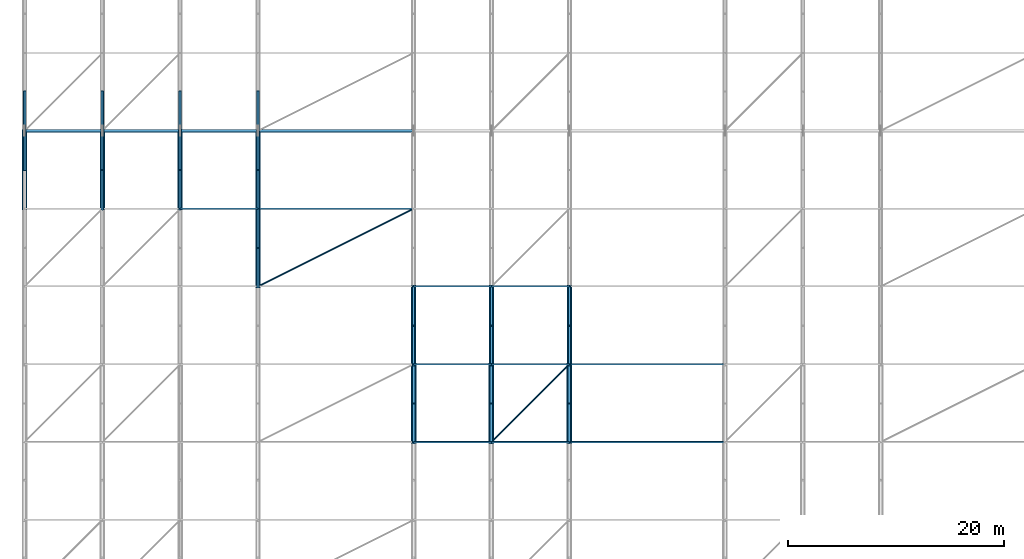
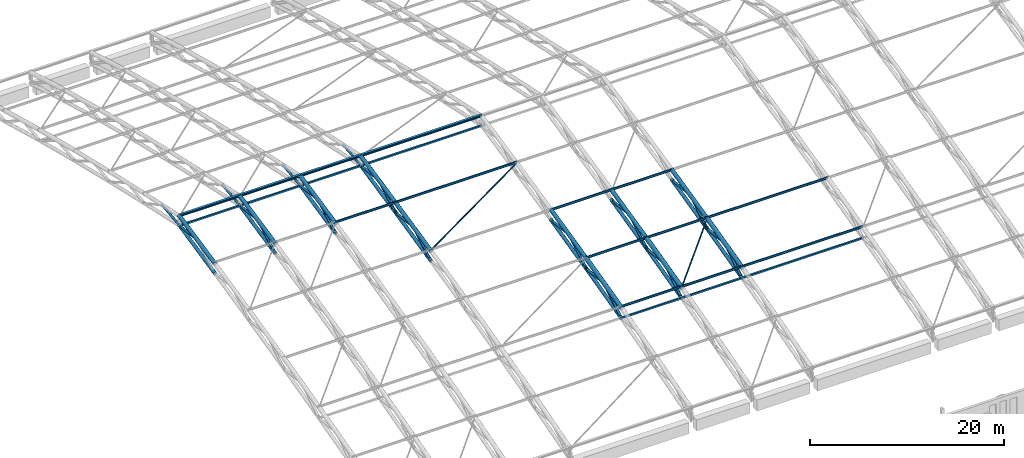
# One storey, part 41 of 193: 70 members.
"""IFC4 building model written with IfcOpenShell, lengths in metres."""

from ifc_helpers import new_model, si_unit, direction, frame, origin, origin_2d, place, context, subcontext, project, spatial, hollow_rectangle, hollow_circle, i_section, extrude, material, material_profile, profile_set, type_object, element, save


model = new_model("IFC4")

# Units and contexts
model_context = context("Model", 3, precision=1e-05, world=origin(), true_north=direction((0.0, 1.0)))
body_context = subcontext(model_context, "Body", "Model", "MODEL_VIEW")
ifc_project = project(units=[si_unit("LENGTHUNIT", "METRE"), si_unit("AREAUNIT", "SQUARE_METRE"), si_unit("VOLUMEUNIT", "CUBIC_METRE"), si_unit("PLANEANGLEUNIT", "RADIAN"), si_unit("MASSUNIT", "GRAM", prefix="KILO")], contexts=[model_context])

# Site, building, storey
site_placement = place(None, origin())
site = spatial("IfcSite", under=ifc_project, at=site_placement, CompositionType="ELEMENT")
building_placement = place(site_placement, origin())
building = spatial("IfcBuilding", under=site, at=building_placement, Name="Cendralis Lancet Convention Centre", CompositionType="ELEMENT")
storey_placement = place(building_placement, frame((0.0, 0.0, 10.199951171875)))
storey = spatial("IfcBuildingStorey", under=building, at=storey_placement, Name="L02", CompositionType="ELEMENT", Elevation=10.199951171875)

# Members
ifc_material = material(Name="Steel S355", Category="steel")
ifc_material_profile_1 = material_profile(ifc_material, hollow_circle(Radius=0.084228515625, WallThickness=0.008056640625, at=origin_2d()), Name="CHS 168.3x8.0")
ifc_profile_set_1 = profile_set([ifc_material_profile_1], Name="Steel S355")
member_type_1 = type_object("IfcMemberType", Name="STR-BR-RB01", PredefinedType="BRACE", material=ifc_profile_set_1)
member_1_placement = place(storey_placement, frame((21.60009765625, 79.199951171875, 11.056884765625), z_axis=(0.890024842601, 0.445012421301, 0.099094522759), x_axis=(-0.4472135955, 0.894427191, 0.0)))
element("IfcMember", 1, at=member_1_placement, inside=storey, type_object=member_type_1, Name="Roof Diaphragm Brace RB01 V1-03-04A", PredefinedType="BRACE", context=body_context, shape_type="SweptSolid", body=[
    extrude(hollow_circle(Radius=0.084228515625, WallThickness=0.008056640625, at=origin_2d()), origin(), (0.0, 0.0, 1.0), 16.17919921875),
])
member_2_placement = place(storey_placement, frame((43.199951171875, 64.800048828125, 7.576416015625), z_axis=(0.696392758522, 0.696392758522, 0.173419294652), x_axis=(-0.707106781187, 0.707106781187, 0.0)))
element("IfcMember", 2, at=member_2_placement, inside=storey, type_object=member_type_1, Name="Roof Diaphragm Brace RB01 V1-05-02A", PredefinedType="BRACE", context=body_context, shape_type="SweptSolid", body=[
    extrude(hollow_circle(Radius=0.084228515625, WallThickness=0.008056640625, at=origin_2d()), origin(), (0.0, 0.0, 1.0), 10.3388671875),
])
ifc_material_profile_2 = material_profile(ifc_material, hollow_rectangle(XDim=0.199951171875, YDim=0.199951171875, WallThickness=0.010009765625, at=origin_2d()), Name="SHS 200x200x10.0")
ifc_profile_set_2 = profile_set([ifc_material_profile_2], Name="Steel S355")
member_type_2 = type_object("IfcMemberType", Name="STR-BR-ST01", PredefinedType="STRUT", material=ifc_profile_set_2)
for number, where, z_axis, x_axis, name in (
    (3, (0.0, 93.60009765625, 13.024169921875), (1.0, 0.0, 0.0), (0.0, 1.0, 0.0), "Arch Tie Strut ST01 V1-00-06"),
    (4, (7.199951171875, 93.60009765625, 13.024169921875), (1.0, 0.0, 0.0), (0.0, 1.0, 0.0), "Arch Tie Strut ST01 V1-01-06"),
):
    element("IfcMember", number, at=place(storey_placement, frame(where, z_axis=z_axis, x_axis=x_axis)), inside=storey, type_object=member_type_2, Name=name, PredefinedType="STRUT", context=body_context, shape_type="SweptSolid", body=[
        extrude(hollow_rectangle(XDim=0.199951171875, YDim=0.199951171875, WallThickness=0.010009765625, at=origin_2d()), origin(), (0.0, 0.0, 1.0), 7.199951171875),
    ])
member_3_placement = place(storey_placement, frame((14.39990234375, 93.60009765625, 13.024169921875), z_axis=(1.0, 0.0, 0.0), x_axis=(0.0, 1.0, 0.0)))
element("IfcMember", 5, at=member_3_placement, inside=storey, type_object=member_type_2, Name="Arch Tie Strut ST01 V1-02-06", PredefinedType="STRUT", context=body_context, shape_type="SweptSolid", body=[
    extrude(hollow_rectangle(XDim=0.199951171875, YDim=0.199951171875, WallThickness=0.010009765625, at=origin_2d()), origin(), (0.0, 0.0, 1.0), 7.2001953125),
])
member_4_placement = place(storey_placement, frame((21.60009765625, 93.60009765625, 13.024169921875), z_axis=(1.0, 0.0, 0.0), x_axis=(0.0, 1.0, 0.0)))
element("IfcMember", 6, at=member_4_placement, inside=storey, type_object=member_type_2, Name="Arch Tie Strut ST01 V1-03-06", PredefinedType="STRUT", context=body_context, shape_type="SweptSolid", body=[
    extrude(hollow_rectangle(XDim=0.199951171875, YDim=0.199951171875, WallThickness=0.010009765625, at=origin_2d()), origin(), (0.0, 0.0, 1.0), 14.39990234375),
])
for number, where, z_axis, x_axis, name in (
    (7, (36.0, 64.800048828125, 6.2509765625), (1.0, 0.0, 0.0), (0.0, 1.0, 0.0), "Arch Tie Strut ST01 V1-04-02"),
    (8, (43.199951171875, 64.800048828125, 6.2509765625), (1.0, 0.0, 0.0), (0.0, 1.0, 0.0), "Arch Tie Strut ST01 V1-05-02"),
):
    element("IfcMember", number, at=place(storey_placement, frame(where, z_axis=z_axis, x_axis=x_axis)), inside=storey, type_object=member_type_2, Name=name, PredefinedType="STRUT", context=body_context, shape_type="SweptSolid", body=[
        extrude(hollow_rectangle(XDim=0.199951171875, YDim=0.199951171875, WallThickness=0.010009765625, at=origin_2d()), origin(), (0.0, 0.0, 1.0), 7.199951171875),
    ])
member_5_placement = place(storey_placement, frame((50.39990234375, 64.800048828125, 6.2509765625), z_axis=(1.0, 0.0, 0.0), x_axis=(0.0, 1.0, 0.0)))
element("IfcMember", 9, at=member_5_placement, inside=storey, type_object=member_type_2, Name="Arch Tie Strut ST01 V1-06-02", PredefinedType="STRUT", context=body_context, shape_type="SweptSolid", body=[
    extrude(hollow_rectangle(XDim=0.199951171875, YDim=0.199951171875, WallThickness=0.010009765625, at=origin_2d()), origin(), (0.0, 0.0, 1.0), 14.400146484375),
])
ifc_material_profile_3 = material_profile(ifc_material, i_section(OverallWidth=0.135009765625, OverallDepth=0.27001953125, WebThickness=0.006591796875, FlangeThickness=0.01025390625, FilletRadius=0.014892578125, at=origin_2d()), Name="IPE 270")
ifc_profile_set_3 = profile_set([ifc_material_profile_3], Name="Steel S355")
member_type_3 = type_object("IfcMemberType", Name="STR-PR-PR01", PredefinedType="PURLIN", material=ifc_profile_set_3)
member_6_placement = place(storey_placement, frame((14.39990234375, 86.39990234375, 12.775146484375), z_axis=(1.0, 0.0, 0.0), x_axis=(0.0, 1.0, 0.0)))
element("IfcMember", 10, at=member_6_placement, inside=storey, type_object=member_type_3, Name="Vault Roof Purlin PR01 V1-02-05", PredefinedType="PURLIN", context=body_context, shape_type="SweptSolid", body=[
    extrude(i_section(OverallWidth=0.135009765625, OverallDepth=0.27001953125, WebThickness=0.006591796875, FlangeThickness=0.01025390625, FilletRadius=0.014892578125, at=origin_2d()), origin(), (0.0, 0.0, 1.0), 7.2001953125),
])
member_7_placement = place(storey_placement, frame((21.60009765625, 86.39990234375, 12.775146484375), z_axis=(1.0, 0.0, 0.0), x_axis=(0.0, 1.0, 0.0)))
element("IfcMember", 11, at=member_7_placement, inside=storey, type_object=member_type_3, Name="Vault Roof Purlin PR01 V1-03-05", PredefinedType="PURLIN", context=body_context, shape_type="SweptSolid", body=[
    extrude(i_section(OverallWidth=0.135009765625, OverallDepth=0.27001953125, WebThickness=0.006591796875, FlangeThickness=0.01025390625, FilletRadius=0.014892578125, at=origin_2d()), origin(), (0.0, 0.0, 1.0), 14.39990234375),
])
for number, where, z_axis, x_axis, name in (
    (12, (36.0, 64.800048828125, 7.69140625), (1.0, 0.0, 0.0), (0.0, 1.0, 0.0), "Vault Roof Purlin PR01 V1-04-02"),
    (13, (36.0, 72.0, 9.484375), (1.0, 0.0, 0.0), (0.0, 1.0, 0.0), "Vault Roof Purlin PR01 V1-04-03"),
    (14, (36.0, 79.199951171875, 11.171875), (1.0, 0.0, 0.0), (0.0, 1.0, 0.0), "Vault Roof Purlin PR01 V1-04-04"),
    (15, (43.199951171875, 64.800048828125, 7.69140625), (1.0, 0.0, 0.0), (0.0, 1.0, 0.0), "Vault Roof Purlin PR01 V1-05-02"),
    (16, (43.199951171875, 72.0, 9.484375), (1.0, 0.0, 0.0), (0.0, 1.0, 0.0), "Vault Roof Purlin PR01 V1-05-03"),
    (17, (43.199951171875, 79.199951171875, 11.171875), (1.0, 0.0, 0.0), (0.0, 1.0, 0.0), "Vault Roof Purlin PR01 V1-05-04"),
):
    element("IfcMember", number, at=place(storey_placement, frame(where, z_axis=z_axis, x_axis=x_axis)), inside=storey, type_object=member_type_3, Name=name, PredefinedType="PURLIN", context=body_context, shape_type="SweptSolid", body=[
        extrude(i_section(OverallWidth=0.135009765625, OverallDepth=0.27001953125, WebThickness=0.006591796875, FlangeThickness=0.01025390625, FilletRadius=0.014892578125, at=origin_2d()), origin(), (0.0, 0.0, 1.0), 7.199951171875),
    ])
for number, where, z_axis, x_axis, name in (
    (18, (50.39990234375, 64.800048828125, 7.69140625), (1.0, 0.0, 0.0), (0.0, 1.0, 0.0), "Vault Roof Purlin PR01 V1-06-02"),
    (19, (50.39990234375, 72.0, 9.484375), (1.0, 0.0, 0.0), (0.0, 1.0, 0.0), "Vault Roof Purlin PR01 V1-06-03"),
):
    element("IfcMember", number, at=place(storey_placement, frame(where, z_axis=z_axis, x_axis=x_axis)), inside=storey, type_object=member_type_3, Name=name, PredefinedType="PURLIN", context=body_context, shape_type="SweptSolid", body=[
        extrude(i_section(OverallWidth=0.135009765625, OverallDepth=0.27001953125, WebThickness=0.006591796875, FlangeThickness=0.01025390625, FilletRadius=0.014892578125, at=origin_2d()), origin(), (0.0, 0.0, 1.0), 14.400146484375),
    ])
ifc_material_profile_4 = material_profile(ifc_material, i_section(OverallWidth=0.280029296875, OverallDepth=0.27001953125, WebThickness=0.008056640625, FlangeThickness=0.012939453125, FilletRadius=0.02392578125, at=origin_2d()), Name="HEA 280")
ifc_profile_set_4 = profile_set([ifc_material_profile_4], Name="Steel S355")
member_type_4 = type_object("IfcMemberType", Name="STR-PR-PR06", PredefinedType="PURLIN", material=ifc_profile_set_4)
for number, where, z_axis, x_axis, name in (
    (20, (0.0, 93.60009765625, 14.31494140625), (1.0, 0.0, 0.0), (0.0, 1.0, 0.0), "Vault Roof Purlin PR06 V1-00-06"),
    (21, (7.199951171875, 93.60009765625, 14.31494140625), (1.0, 0.0, 0.0), (0.0, 1.0, 0.0), "Vault Roof Purlin PR06 V1-01-06"),
):
    element("IfcMember", number, at=place(storey_placement, frame(where, z_axis=z_axis, x_axis=x_axis)), inside=storey, type_object=member_type_4, Name=name, PredefinedType="PURLIN", context=body_context, shape_type="SweptSolid", body=[
        extrude(i_section(OverallWidth=0.280029296875, OverallDepth=0.27001953125, WebThickness=0.008056640625, FlangeThickness=0.012939453125, FilletRadius=0.02392578125, at=origin_2d()), origin(), (0.0, 0.0, 1.0), 7.199951171875),
    ])
member_8_placement = place(storey_placement, frame((14.39990234375, 93.60009765625, 14.31494140625), z_axis=(1.0, 0.0, 0.0), x_axis=(0.0, 1.0, 0.0)))
element("IfcMember", 22, at=member_8_placement, inside=storey, type_object=member_type_4, Name="Vault Roof Purlin PR06 V1-02-06", PredefinedType="PURLIN", context=body_context, shape_type="SweptSolid", body=[
    extrude(i_section(OverallWidth=0.280029296875, OverallDepth=0.27001953125, WebThickness=0.008056640625, FlangeThickness=0.012939453125, FilletRadius=0.02392578125, at=origin_2d()), origin(), (0.0, 0.0, 1.0), 7.2001953125),
])
member_9_placement = place(storey_placement, frame((21.60009765625, 93.60009765625, 14.31494140625), z_axis=(1.0, 0.0, 0.0), x_axis=(0.0, 1.0, 0.0)))
element("IfcMember", 23, at=member_9_placement, inside=storey, type_object=member_type_4, Name="Vault Roof Purlin PR06 V1-03-06", PredefinedType="PURLIN", context=body_context, shape_type="SweptSolid", body=[
    extrude(i_section(OverallWidth=0.280029296875, OverallDepth=0.27001953125, WebThickness=0.008056640625, FlangeThickness=0.012939453125, FilletRadius=0.02392578125, at=origin_2d()), origin(), (0.0, 0.0, 1.0), 14.39990234375),
])
ifc_material_profile_5 = material_profile(ifc_material, hollow_circle(Radius=0.203125, WallThickness=0.01611328125, at=origin_2d()), Name="CHS 406.4x16.0")
ifc_profile_set_5 = profile_set([ifc_material_profile_5], Name="Steel S355")
member_type_5 = type_object("IfcMemberType", Name="STR-TR-BC01", PredefinedType="CHORD", material=ifc_profile_set_5)
member_10_placement = place(storey_placement, frame((0.0, 86.28271484375, 11.421142578125), z_axis=(0.0, 0.976835518251, 0.213991519186), x_axis=(-1.0, 0.0, 0.0)))
element("IfcMember", 24, at=member_10_placement, inside=storey, type_object=member_type_5, Name="ROOF TRUSS AT-V1-01 Bottom Chord 05", PredefinedType="CHORD", context=body_context, shape_type="SweptSolid", body=[
    extrude(hollow_circle(Radius=0.203125, WallThickness=0.01611328125, at=origin_2d()), origin(), (0.0, 0.0, 1.0), 7.61083984375),
])
ifc_material_profile_6 = material_profile(ifc_material, hollow_circle(Radius=0.203125, WallThickness=0.01611328125, at=origin_2d()), Name="CHS 406.4x16.0")
ifc_profile_set_6 = profile_set([ifc_material_profile_6], Name="Steel S355")
member_type_6 = type_object("IfcMemberType", Name="STR-TR-BC01-INT", PredefinedType="CHORD", material=ifc_profile_set_6)
for number, where, z_axis, x_axis, name in (
    (25, (7.199951171875, 86.28271484375, 11.421142578125), (0.0, 0.976835518251, 0.213991519186), (-1.0, 0.0, 0.0), "ROOF TRUSS AT-V1-02 Bottom Chord 05"),
    (26, (14.39990234375, 86.28271484375, 11.421142578125), (0.0, 0.976835518251, 0.213991519186), (-1.0, 0.0, 0.0), "ROOF TRUSS AT-V1-03 Bottom Chord 05"),
):
    element("IfcMember", number, at=place(storey_placement, frame(where, z_axis=z_axis, x_axis=x_axis)), inside=storey, type_object=member_type_6, Name=name, PredefinedType="CHORD", context=body_context, shape_type="SweptSolid", body=[
        extrude(hollow_circle(Radius=0.203125, WallThickness=0.01611328125, at=origin_2d()), origin(), (0.0, 0.0, 1.0), 7.61083984375),
    ])
member_11_placement = place(storey_placement, frame((21.60009765625, 79.0830078125, 9.779541015625), z_axis=(0.0, 0.975004361287, 0.222185722922), x_axis=(-1.0, 0.0, 0.0)))
element("IfcMember", 27, at=member_11_placement, inside=storey, type_object=member_type_6, Name="ROOF TRUSS AT-V1-04 Bottom Chord 04", PredefinedType="CHORD", context=body_context, shape_type="SweptSolid", body=[
    extrude(hollow_circle(Radius=0.203125, WallThickness=0.01611328125, at=origin_2d()), origin(), (0.0, 0.0, 1.0), 7.624755859375),
])
member_12_placement = place(storey_placement, frame((21.60009765625, 86.28271484375, 11.421142578125), z_axis=(0.0, 0.976835518251, 0.213991519186), x_axis=(-1.0, 0.0, 0.0)))
element("IfcMember", 28, at=member_12_placement, inside=storey, type_object=member_type_6, Name="ROOF TRUSS AT-V1-04 Bottom Chord 05", PredefinedType="CHORD", context=body_context, shape_type="SweptSolid", body=[
    extrude(hollow_circle(Radius=0.203125, WallThickness=0.01611328125, at=origin_2d()), origin(), (0.0, 0.0, 1.0), 7.61083984375),
])
member_13_placement = place(storey_placement, frame((36.0, 64.68359375, 6.221435546875), z_axis=(0.0, 0.969168531094, 0.246398779092), x_axis=(-1.0, 0.0, 0.0)))
element("IfcMember", 29, at=member_13_placement, inside=storey, type_object=member_type_6, Name="ROOF TRUSS AT-V1-05 Bottom Chord 02", PredefinedType="CHORD", context=body_context, shape_type="SweptSolid", body=[
    extrude(hollow_circle(Radius=0.203125, WallThickness=0.01611328125, at=origin_2d()), origin(), (0.0, 0.0, 1.0), 7.6689453125),
])
member_14_placement = place(storey_placement, frame((36.0, 71.88330078125, 8.053466796875), z_axis=(0.0, 0.97248347478, 0.232971868002), x_axis=(-1.0, 0.0, 0.0)))
element("IfcMember", 30, at=member_14_placement, inside=storey, type_object=member_type_6, Name="ROOF TRUSS AT-V1-05 Bottom Chord 03", PredefinedType="CHORD", context=body_context, shape_type="SweptSolid", body=[
    extrude(hollow_circle(Radius=0.203125, WallThickness=0.01611328125, at=origin_2d()), origin(), (0.0, 0.0, 1.0), 7.643798828125),
])
member_15_placement = place(storey_placement, frame((43.199951171875, 64.68359375, 6.221435546875), z_axis=(0.0, 0.969168531094, 0.246398779092), x_axis=(-1.0, 0.0, 0.0)))
element("IfcMember", 31, at=member_15_placement, inside=storey, type_object=member_type_6, Name="ROOF TRUSS AT-V1-06 Bottom Chord 02", PredefinedType="CHORD", context=body_context, shape_type="SweptSolid", body=[
    extrude(hollow_circle(Radius=0.203125, WallThickness=0.01611328125, at=origin_2d()), origin(), (0.0, 0.0, 1.0), 7.6689453125),
])
member_16_placement = place(storey_placement, frame((43.199951171875, 71.88330078125, 8.053466796875), z_axis=(0.0, 0.97248347478, 0.232971868002), x_axis=(-1.0, 0.0, 0.0)))
element("IfcMember", 32, at=member_16_placement, inside=storey, type_object=member_type_6, Name="ROOF TRUSS AT-V1-06 Bottom Chord 03", PredefinedType="CHORD", context=body_context, shape_type="SweptSolid", body=[
    extrude(hollow_circle(Radius=0.203125, WallThickness=0.01611328125, at=origin_2d()), origin(), (0.0, 0.0, 1.0), 7.643798828125),
])
member_17_placement = place(storey_placement, frame((50.39990234375, 64.68359375, 6.221435546875), z_axis=(0.0, 0.969168531094, 0.246398779092), x_axis=(-1.0, 0.0, 0.0)))
element("IfcMember", 33, at=member_17_placement, inside=storey, type_object=member_type_6, Name="ROOF TRUSS AT-V1-07 Bottom Chord 02", PredefinedType="CHORD", context=body_context, shape_type="SweptSolid", body=[
    extrude(hollow_circle(Radius=0.203125, WallThickness=0.01611328125, at=origin_2d()), origin(), (0.0, 0.0, 1.0), 7.6689453125),
])
member_18_placement = place(storey_placement, frame((50.39990234375, 71.88330078125, 8.053466796875), z_axis=(0.0, 0.97248347478, 0.232971868002), x_axis=(-1.0, 0.0, 0.0)))
element("IfcMember", 34, at=member_18_placement, inside=storey, type_object=member_type_6, Name="ROOF TRUSS AT-V1-07 Bottom Chord 03", PredefinedType="CHORD", context=body_context, shape_type="SweptSolid", body=[
    extrude(hollow_circle(Radius=0.203125, WallThickness=0.01611328125, at=origin_2d()), origin(), (0.0, 0.0, 1.0), 7.643798828125),
])
ifc_material_profile_7 = material_profile(ifc_material, hollow_circle(Radius=0.25390625, WallThickness=0.02001953125, at=origin_2d()), Name="CHS 508.0x20.0")
ifc_profile_set_7 = profile_set([ifc_material_profile_7], Name="Steel S355")
member_type_7 = type_object("IfcMemberType", Name="STR-TR-TC01-INT", PredefinedType="CHORD", material=ifc_profile_set_7)
for number, where, z_axis, x_axis, name in (
    (35, (36.0, 64.68359375, 7.54736328125), (0.0, 0.97036146187, 0.241658091769), (-1.0, 0.0, 0.0), "ROOF TRUSS AT-V1-05 Top Chord 02"),
    (36, (43.199951171875, 64.68359375, 7.54736328125), (0.0, 0.97036146187, 0.241658091769), (-1.0, 0.0, 0.0), "ROOF TRUSS AT-V1-06 Top Chord 02"),
    (37, (50.39990234375, 64.68359375, 7.54736328125), (0.0, 0.97036146187, 0.241658091769), (-1.0, 0.0, 0.0), "ROOF TRUSS AT-V1-07 Top Chord 02"),
):
    element("IfcMember", number, at=place(storey_placement, frame(where, z_axis=z_axis, x_axis=x_axis)), inside=storey, type_object=member_type_7, Name=name, PredefinedType="CHORD", context=body_context, shape_type="SweptSolid", body=[
        extrude(hollow_circle(Radius=0.25390625, WallThickness=0.02001953125, at=origin_2d()), origin(), (0.0, 0.0, 1.0), 7.659912109375),
    ])
ifc_material_profile_8 = material_profile(ifc_material, hollow_circle(Radius=0.228515625, WallThickness=0.02001953125, at=origin_2d()), Name="CHS 457.0x20.0")
ifc_profile_set_8 = profile_set([ifc_material_profile_8], Name="Steel S355")
member_type_8 = type_object("IfcMemberType", Name="STR-TR-TC01B", PredefinedType="CHORD", material=ifc_profile_set_8)
member_19_placement = place(storey_placement, frame((0.0, 86.28271484375, 12.635009765625), z_axis=(0.0, 0.97788410853, 0.209147484528), x_axis=(-1.0, 0.0, 0.0)))
element("IfcMember", 38, at=member_19_placement, inside=storey, type_object=member_type_8, Name="ROOF TRUSS AT-V1-01 Top Chord 05", PredefinedType="CHORD", context=body_context, shape_type="SweptSolid", body=[
    extrude(hollow_circle(Radius=0.228515625, WallThickness=0.02001953125, at=origin_2d()), origin(), (0.0, 0.0, 1.0), 7.602783203125),
])
ifc_material_profile_9 = material_profile(ifc_material, hollow_circle(Radius=0.228515625, WallThickness=0.02001953125, at=origin_2d()), Name="CHS 457.0x20.0")
ifc_profile_set_9 = profile_set([ifc_material_profile_9], Name="Steel S355")
member_type_9 = type_object("IfcMemberType", Name="STR-TR-TC01B-INT", PredefinedType="CHORD", material=ifc_profile_set_9)
for number, where, z_axis, x_axis, name in (
    (39, (7.199951171875, 86.28271484375, 12.635009765625), (0.0, 0.97788410853, 0.209147484528), (-1.0, 0.0, 0.0), "ROOF TRUSS AT-V1-02 Top Chord 05"),
    (40, (14.39990234375, 86.28271484375, 12.635009765625), (0.0, 0.97788410853, 0.209147484528), (-1.0, 0.0, 0.0), "ROOF TRUSS AT-V1-03 Top Chord 05"),
):
    element("IfcMember", number, at=place(storey_placement, frame(where, z_axis=z_axis, x_axis=x_axis)), inside=storey, type_object=member_type_9, Name=name, PredefinedType="CHORD", context=body_context, shape_type="SweptSolid", body=[
        extrude(hollow_circle(Radius=0.228515625, WallThickness=0.02001953125, at=origin_2d()), origin(), (0.0, 0.0, 1.0), 7.602783203125),
    ])
member_20_placement = place(storey_placement, frame((21.60009765625, 79.0830078125, 11.03076171875), z_axis=(0.0, 0.976089664154, 0.217368276277), x_axis=(-1.0, 0.0, 0.0)))
element("IfcMember", 41, at=member_20_placement, inside=storey, type_object=member_type_9, Name="ROOF TRUSS AT-V1-04 Top Chord 04", PredefinedType="CHORD", context=body_context, shape_type="SweptSolid", body=[
    extrude(hollow_circle(Radius=0.228515625, WallThickness=0.02001953125, at=origin_2d()), origin(), (0.0, 0.0, 1.0), 7.6162109375),
])
member_21_placement = place(storey_placement, frame((21.60009765625, 86.28271484375, 12.635009765625), z_axis=(0.0, 0.97788410853, 0.209147484528), x_axis=(-1.0, 0.0, 0.0)))
element("IfcMember", 42, at=member_21_placement, inside=storey, type_object=member_type_9, Name="ROOF TRUSS AT-V1-04 Top Chord 05", PredefinedType="CHORD", context=body_context, shape_type="SweptSolid", body=[
    extrude(hollow_circle(Radius=0.228515625, WallThickness=0.02001953125, at=origin_2d()), origin(), (0.0, 0.0, 1.0), 7.602783203125),
])
for number, where, z_axis, x_axis, name in (
    (43, (36.0, 71.88330078125, 9.342041015625), (0.0, 0.973618086595, 0.22818374494), (-1.0, 0.0, 0.0), "ROOF TRUSS AT-V1-05 Top Chord 03"),
    (44, (43.199951171875, 71.88330078125, 9.342041015625), (0.0, 0.973618086595, 0.22818374494), (-1.0, 0.0, 0.0), "ROOF TRUSS AT-V1-06 Top Chord 03"),
    (45, (50.39990234375, 71.88330078125, 9.342041015625), (0.0, 0.973618086595, 0.22818374494), (-1.0, 0.0, 0.0), "ROOF TRUSS AT-V1-07 Top Chord 03"),
):
    element("IfcMember", number, at=place(storey_placement, frame(where, z_axis=z_axis, x_axis=x_axis)), inside=storey, type_object=member_type_9, Name=name, PredefinedType="CHORD", context=body_context, shape_type="SweptSolid", body=[
        extrude(hollow_circle(Radius=0.228515625, WallThickness=0.02001953125, at=origin_2d()), origin(), (0.0, 0.0, 1.0), 7.635009765625),
    ])
ifc_material_profile_10 = material_profile(ifc_material, hollow_circle(Radius=0.149169921875, WallThickness=0.012451171875, at=origin_2d()), Name="CHS 298.5x12.5")
ifc_profile_set_10 = profile_set([ifc_material_profile_10], Name="Steel S355")
member_type_10 = type_object("IfcMemberType", Name="STR-TR-WD01-INT", PredefinedType="BRACE", material=ifc_profile_set_10)
member_22_placement = place(storey_placement, frame((36.0, 64.71484375, 6.198486328125), z_axis=(0.0, 0.850978373815, 0.525200730482), x_axis=(-1.0, 0.0, 0.0)))
element("IfcMember", 46, at=member_22_placement, inside=storey, type_object=member_type_10, Name="ROOF TRUSS AT-V1-05 Warren Web 02-0", PredefinedType="BRACE", context=body_context, shape_type="SweptSolid", body=[
    extrude(hollow_circle(Radius=0.149169921875, WallThickness=0.012451171875, at=origin_2d()), origin(), (0.0, 0.0, 1.0), 4.430419921875),
])
member_23_placement = place(storey_placement, frame((36.0, 68.300537109375, 8.483642578125), z_axis=(0.0, 0.994139687453, -0.108103107402), x_axis=(-1.0, 0.0, 0.0)))
element("IfcMember", 47, at=member_23_placement, inside=storey, type_object=member_type_10, Name="ROOF TRUSS AT-V1-05 Warren Web 02-1", PredefinedType="BRACE", context=body_context, shape_type="SweptSolid", body=[
    extrude(hollow_circle(Radius=0.149169921875, WallThickness=0.012451171875, at=origin_2d()), origin(), (0.0, 0.0, 1.0), 3.8212890625),
])
member_24_placement = place(storey_placement, frame((43.199951171875, 64.71484375, 6.198486328125), z_axis=(0.0, 0.850978373815, 0.525200730482), x_axis=(-1.0, 0.0, 0.0)))
element("IfcMember", 48, at=member_24_placement, inside=storey, type_object=member_type_10, Name="ROOF TRUSS AT-V1-06 Warren Web 02-0", PredefinedType="BRACE", context=body_context, shape_type="SweptSolid", body=[
    extrude(hollow_circle(Radius=0.149169921875, WallThickness=0.012451171875, at=origin_2d()), origin(), (0.0, 0.0, 1.0), 4.430419921875),
])
member_25_placement = place(storey_placement, frame((43.199951171875, 68.300537109375, 8.483642578125), z_axis=(0.0, 0.994139687453, -0.108103107402), x_axis=(-1.0, 0.0, 0.0)))
element("IfcMember", 49, at=member_25_placement, inside=storey, type_object=member_type_10, Name="ROOF TRUSS AT-V1-06 Warren Web 02-1", PredefinedType="BRACE", context=body_context, shape_type="SweptSolid", body=[
    extrude(hollow_circle(Radius=0.149169921875, WallThickness=0.012451171875, at=origin_2d()), origin(), (0.0, 0.0, 1.0), 3.8212890625),
])
member_26_placement = place(storey_placement, frame((50.39990234375, 64.71484375, 6.198486328125), z_axis=(0.0, 0.850978373815, 0.525200730482), x_axis=(-1.0, 0.0, 0.0)))
element("IfcMember", 50, at=member_26_placement, inside=storey, type_object=member_type_10, Name="ROOF TRUSS AT-V1-07 Warren Web 02-0", PredefinedType="BRACE", context=body_context, shape_type="SweptSolid", body=[
    extrude(hollow_circle(Radius=0.149169921875, WallThickness=0.012451171875, at=origin_2d()), origin(), (0.0, 0.0, 1.0), 4.430419921875),
])
member_27_placement = place(storey_placement, frame((50.39990234375, 68.300537109375, 8.483642578125), z_axis=(0.0, 0.994139687453, -0.108103107402), x_axis=(-1.0, 0.0, 0.0)))
element("IfcMember", 51, at=member_27_placement, inside=storey, type_object=member_type_10, Name="ROOF TRUSS AT-V1-07 Warren Web 02-1", PredefinedType="BRACE", context=body_context, shape_type="SweptSolid", body=[
    extrude(hollow_circle(Radius=0.149169921875, WallThickness=0.012451171875, at=origin_2d()), origin(), (0.0, 0.0, 1.0), 3.8212890625),
])
ifc_material_profile_11 = material_profile(ifc_material, hollow_circle(Radius=0.136474609375, WallThickness=0.012451171875, at=origin_2d()), Name="CHS 273.0x12.5")
ifc_profile_set_11 = profile_set([ifc_material_profile_11], Name="Steel S355")
member_type_11 = type_object("IfcMemberType", Name="STR-TR-WD01B", PredefinedType="BRACE", material=ifc_profile_set_11)
for number, where, z_axis, x_axis, name in (
    (52, (0.0, 89.900634765625, 13.441162109375), (0.0, 0.993706459911, -0.112015496831), (-1.0, 0.0, 0.0), "ROOF TRUSS AT-V1-01 Warren Web 05-1"),
    (53, (0.0, 93.50048828125, 13.012939453125), (0.0, 0.993706459911, 0.112015496831), (-1.0, 0.0, 0.0), "ROOF TRUSS AT-V1-01 Warren Web 06-0"),
):
    element("IfcMember", number, at=place(storey_placement, frame(where, z_axis=z_axis, x_axis=x_axis)), inside=storey, type_object=member_type_11, Name=name, PredefinedType="BRACE", context=body_context, shape_type="SweptSolid", body=[
        extrude(hollow_circle(Radius=0.136474609375, WallThickness=0.012451171875, at=origin_2d()), origin(), (0.0, 0.0, 1.0), 3.822998046875),
    ])
ifc_material_profile_12 = material_profile(ifc_material, hollow_circle(Radius=0.136474609375, WallThickness=0.012451171875, at=origin_2d()), Name="CHS 273.0x12.5")
ifc_profile_set_12 = profile_set([ifc_material_profile_12], Name="Steel S355")
member_type_12 = type_object("IfcMemberType", Name="STR-TR-WD01B-INT", PredefinedType="BRACE", material=ifc_profile_set_12)
member_28_placement = place(storey_placement, frame((7.199951171875, 86.3125, 11.3984375), z_axis=(0.0, 0.875872457449, 0.48254268027), x_axis=(-1.0, 0.0, 0.0)))
element("IfcMember", 54, at=member_28_placement, inside=storey, type_object=member_type_12, Name="ROOF TRUSS AT-V1-02 Warren Web 05-0", PredefinedType="BRACE", context=body_context, shape_type="SweptSolid", body=[
    extrude(hollow_circle(Radius=0.136474609375, WallThickness=0.012451171875, at=origin_2d()), origin(), (0.0, 0.0, 1.0), 4.31005859375),
])
for number, where, z_axis, x_axis, name in (
    (55, (7.199951171875, 89.900634765625, 13.441162109375), (0.0, 0.993706459911, -0.112015496831), (-1.0, 0.0, 0.0), "ROOF TRUSS AT-V1-02 Warren Web 05-1"),
    (56, (7.199951171875, 93.50048828125, 13.012939453125), (0.0, 0.993706459911, 0.112015496831), (-1.0, 0.0, 0.0), "ROOF TRUSS AT-V1-02 Warren Web 06-0"),
):
    element("IfcMember", number, at=place(storey_placement, frame(where, z_axis=z_axis, x_axis=x_axis)), inside=storey, type_object=member_type_12, Name=name, PredefinedType="BRACE", context=body_context, shape_type="SweptSolid", body=[
        extrude(hollow_circle(Radius=0.136474609375, WallThickness=0.012451171875, at=origin_2d()), origin(), (0.0, 0.0, 1.0), 3.822998046875),
    ])
member_29_placement = place(storey_placement, frame((14.39990234375, 86.3125, 11.3984375), z_axis=(0.0, 0.875872457449, 0.48254268027), x_axis=(-1.0, 0.0, 0.0)))
element("IfcMember", 57, at=member_29_placement, inside=storey, type_object=member_type_12, Name="ROOF TRUSS AT-V1-03 Warren Web 05-0", PredefinedType="BRACE", context=body_context, shape_type="SweptSolid", body=[
    extrude(hollow_circle(Radius=0.136474609375, WallThickness=0.012451171875, at=origin_2d()), origin(), (0.0, 0.0, 1.0), 4.31005859375),
])
for number, where, z_axis, x_axis, name in (
    (58, (14.39990234375, 89.900634765625, 13.441162109375), (0.0, 0.993706459911, -0.112015496831), (-1.0, 0.0, 0.0), "ROOF TRUSS AT-V1-03 Warren Web 05-1"),
    (59, (14.39990234375, 93.50048828125, 13.012939453125), (0.0, 0.993706459911, 0.112015496831), (-1.0, 0.0, 0.0), "ROOF TRUSS AT-V1-03 Warren Web 06-0"),
):
    element("IfcMember", number, at=place(storey_placement, frame(where, z_axis=z_axis, x_axis=x_axis)), inside=storey, type_object=member_type_12, Name=name, PredefinedType="BRACE", context=body_context, shape_type="SweptSolid", body=[
        extrude(hollow_circle(Radius=0.136474609375, WallThickness=0.012451171875, at=origin_2d()), origin(), (0.0, 0.0, 1.0), 3.822998046875),
    ])
member_30_placement = place(storey_placement, frame((21.60009765625, 79.113037109375, 9.7568359375), z_axis=(0.0, 0.86877872096, 0.495200498795), x_axis=(-1.0, 0.0, 0.0)))
element("IfcMember", 60, at=member_30_placement, inside=storey, type_object=member_type_12, Name="ROOF TRUSS AT-V1-04 Warren Web 04-0", PredefinedType="BRACE", context=body_context, shape_type="SweptSolid", body=[
    extrude(hollow_circle(Radius=0.136474609375, WallThickness=0.012451171875, at=origin_2d()), origin(), (0.0, 0.0, 1.0), 4.343994140625),
])
member_31_placement = place(storey_placement, frame((21.60009765625, 82.70068359375, 11.869873046875), z_axis=(0.0, 0.993527526481, -0.113591611157), x_axis=(-1.0, 0.0, 0.0)))
element("IfcMember", 61, at=member_31_placement, inside=storey, type_object=member_type_12, Name="ROOF TRUSS AT-V1-04 Warren Web 04-1", PredefinedType="BRACE", context=body_context, shape_type="SweptSolid", body=[
    extrude(hollow_circle(Radius=0.136474609375, WallThickness=0.012451171875, at=origin_2d()), origin(), (0.0, 0.0, 1.0), 3.823486328125),
])
member_32_placement = place(storey_placement, frame((21.60009765625, 86.3125, 11.3984375), z_axis=(0.0, 0.875872457449, 0.48254268027), x_axis=(-1.0, 0.0, 0.0)))
element("IfcMember", 62, at=member_32_placement, inside=storey, type_object=member_type_12, Name="ROOF TRUSS AT-V1-04 Warren Web 05-0", PredefinedType="BRACE", context=body_context, shape_type="SweptSolid", body=[
    extrude(hollow_circle(Radius=0.136474609375, WallThickness=0.012451171875, at=origin_2d()), origin(), (0.0, 0.0, 1.0), 4.31005859375),
])
for number, where, z_axis, x_axis, name in (
    (63, (21.60009765625, 89.900634765625, 13.441162109375), (0.0, 0.993706459911, -0.112015496831), (-1.0, 0.0, 0.0), "ROOF TRUSS AT-V1-04 Warren Web 05-1"),
    (64, (21.60009765625, 93.50048828125, 13.012939453125), (0.0, 0.993706459911, 0.112015496831), (-1.0, 0.0, 0.0), "ROOF TRUSS AT-V1-04 Warren Web 06-0"),
):
    element("IfcMember", number, at=place(storey_placement, frame(where, z_axis=z_axis, x_axis=x_axis)), inside=storey, type_object=member_type_12, Name=name, PredefinedType="BRACE", context=body_context, shape_type="SweptSolid", body=[
        extrude(hollow_circle(Radius=0.136474609375, WallThickness=0.012451171875, at=origin_2d()), origin(), (0.0, 0.0, 1.0), 3.822998046875),
    ])
member_33_placement = place(storey_placement, frame((36.0, 71.9140625, 8.030517578125), z_axis=(0.0, 0.860451614668, 0.509532156802), x_axis=(-1.0, 0.0, 0.0)))
element("IfcMember", 65, at=member_33_placement, inside=storey, type_object=member_type_12, Name="ROOF TRUSS AT-V1-05 Warren Web 03-0", PredefinedType="BRACE", context=body_context, shape_type="SweptSolid", body=[
    extrude(hollow_circle(Radius=0.136474609375, WallThickness=0.012451171875, at=origin_2d()), origin(), (0.0, 0.0, 1.0), 4.3837890625),
])
member_34_placement = place(storey_placement, frame((36.0, 75.50048828125, 10.224365234375), z_axis=(0.0, 0.993677994269, -0.112267732257), x_axis=(-1.0, 0.0, 0.0)))
element("IfcMember", 66, at=member_34_placement, inside=storey, type_object=member_type_12, Name="ROOF TRUSS AT-V1-05 Warren Web 03-1", PredefinedType="BRACE", context=body_context, shape_type="SweptSolid", body=[
    extrude(hollow_circle(Radius=0.136474609375, WallThickness=0.012451171875, at=origin_2d()), origin(), (0.0, 0.0, 1.0), 3.822998046875),
])
member_35_placement = place(storey_placement, frame((43.199951171875, 71.9140625, 8.030517578125), z_axis=(0.0, 0.860451614668, 0.509532156802), x_axis=(-1.0, 0.0, 0.0)))
element("IfcMember", 67, at=member_35_placement, inside=storey, type_object=member_type_12, Name="ROOF TRUSS AT-V1-06 Warren Web 03-0", PredefinedType="BRACE", context=body_context, shape_type="SweptSolid", body=[
    extrude(hollow_circle(Radius=0.136474609375, WallThickness=0.012451171875, at=origin_2d()), origin(), (0.0, 0.0, 1.0), 4.3837890625),
])
member_36_placement = place(storey_placement, frame((43.199951171875, 75.50048828125, 10.224365234375), z_axis=(0.0, 0.993677994269, -0.112267732257), x_axis=(-1.0, 0.0, 0.0)))
element("IfcMember", 68, at=member_36_placement, inside=storey, type_object=member_type_12, Name="ROOF TRUSS AT-V1-06 Warren Web 03-1", PredefinedType="BRACE", context=body_context, shape_type="SweptSolid", body=[
    extrude(hollow_circle(Radius=0.136474609375, WallThickness=0.012451171875, at=origin_2d()), origin(), (0.0, 0.0, 1.0), 3.822998046875),
])
member_37_placement = place(storey_placement, frame((50.39990234375, 71.9140625, 8.030517578125), z_axis=(0.0, 0.860451614668, 0.509532156802), x_axis=(-1.0, 0.0, 0.0)))
element("IfcMember", 69, at=member_37_placement, inside=storey, type_object=member_type_12, Name="ROOF TRUSS AT-V1-07 Warren Web 03-0", PredefinedType="BRACE", context=body_context, shape_type="SweptSolid", body=[
    extrude(hollow_circle(Radius=0.136474609375, WallThickness=0.012451171875, at=origin_2d()), origin(), (0.0, 0.0, 1.0), 4.3837890625),
])
member_38_placement = place(storey_placement, frame((50.39990234375, 75.50048828125, 10.224365234375), z_axis=(0.0, 0.993677994269, -0.112267732257), x_axis=(-1.0, 0.0, 0.0)))
element("IfcMember", 70, at=member_38_placement, inside=storey, type_object=member_type_12, Name="ROOF TRUSS AT-V1-07 Warren Web 03-1", PredefinedType="BRACE", context=body_context, shape_type="SweptSolid", body=[
    extrude(hollow_circle(Radius=0.136474609375, WallThickness=0.012451171875, at=origin_2d()), origin(), (0.0, 0.0, 1.0), 3.822998046875),
])

save(model, "model.ifc")
